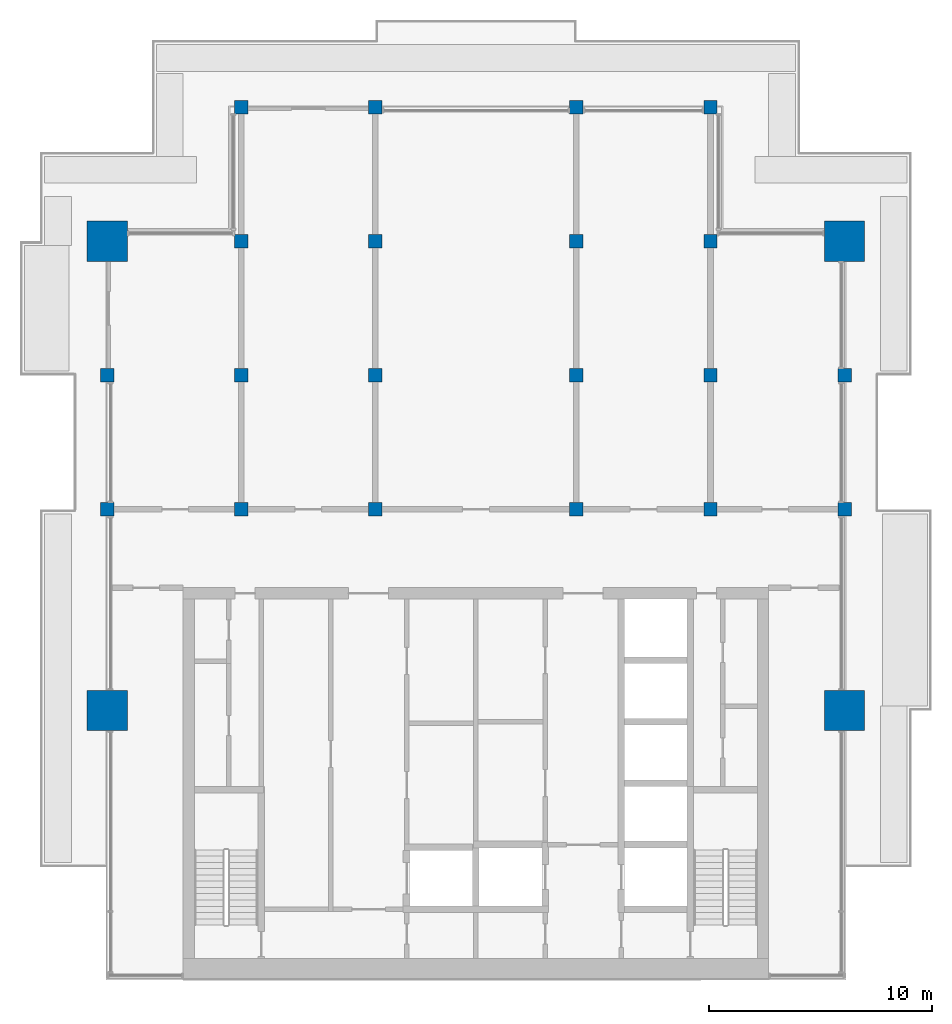
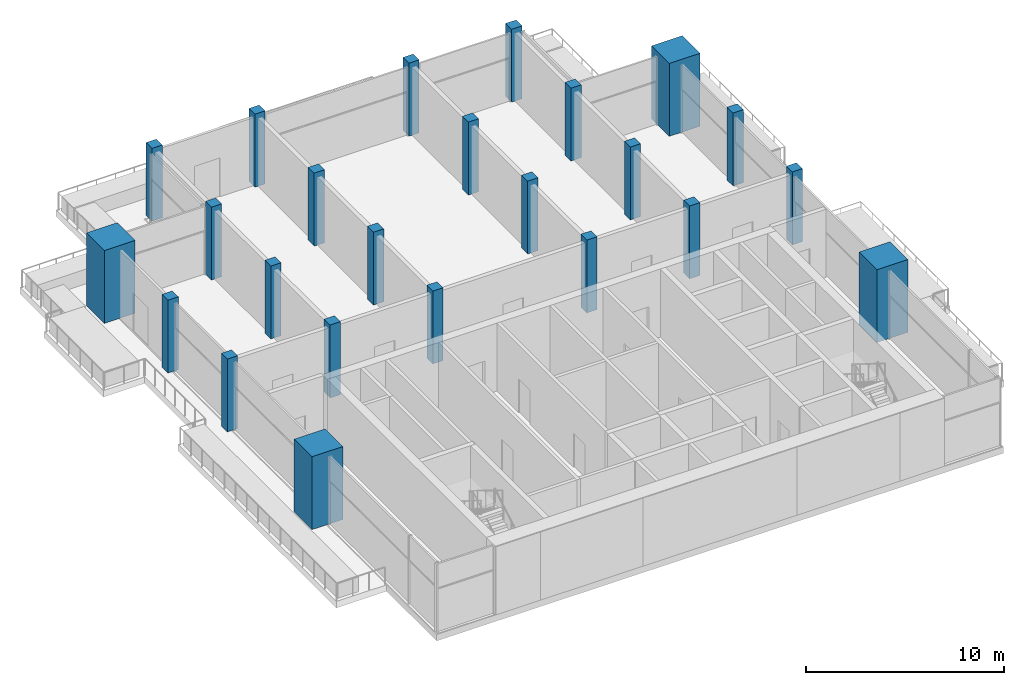
# One storey, part 1 of 9: 24 columns.
"""IFC4 building model written with IfcOpenShell, lengths in metres."""

from ifc_helpers import new_model, si_unit, direction, frame, origin, origin_2d, place, context, subcontext, project, spatial, rectangle, extrude, material, material_profile, profile_set, type_object, element, save


model = new_model("IFC4")

# Units and contexts
model_context = context("Model", 3, precision=1e-05, world=origin(), true_north=direction((0.0, 1.0)))
body_context = subcontext(model_context, "Body", "Model", "MODEL_VIEW")
ifc_project = project(units=[si_unit("LENGTHUNIT", "METRE"), si_unit("AREAUNIT", "SQUARE_METRE"), si_unit("VOLUMEUNIT", "CUBIC_METRE"), si_unit("PLANEANGLEUNIT", "RADIAN"), si_unit("MASSUNIT", "GRAM", prefix="KILO")], contexts=[model_context])

# Site, building, storey
site_placement = place(None, origin())
site = spatial("IfcSite", under=ifc_project, at=site_placement, CompositionType="ELEMENT")
building_placement = place(site_placement, origin())
building = spatial("IfcBuilding", under=site, at=building_placement, Name="Finial Court Residences", CompositionType="ELEMENT")
storey_placement = place(building_placement, frame((0.0, 0.0, 298.699951171875)))
storey = spatial("IfcBuildingStorey", under=building, at=storey_placement, Name="L76", CompositionType="ELEMENT", Elevation=298.699951171875)

# Columns
ifc_material = material(Name="Concrete C40/50", Category="concrete")
ifc_material_profile_1 = material_profile(ifc_material, rectangle(XDim=0.60009765625, YDim=0.60009765625, at=origin_2d()), Name="600x600")
ifc_profile_set_1 = profile_set([ifc_material_profile_1], Name="Concrete C40/50")
column_type_1 = type_object("IfcColumnType", Name="Interior column 600x600 Concrete C40/50", PredefinedType="COLUMN", material=ifc_profile_set_1)
for number, where, z_axis, x_axis, name in (
    (1, (-10.5, -4.5, 0.0), (0.0, 0.0, 1.0), (1.0, 0.0, 0.0), "S:COL:L76:D4"),
    (2, (-10.5, 1.5, 0.0), (0.0, 0.0, 1.0), (1.0, 0.0, 0.0), "S:COL:L76:D5"),
    (3, (-4.5, -4.5, 0.0), (0.0, 0.0, 1.0), (1.0, 0.0, 0.0), "S:COL:L76:E4"),
    (4, (-4.5, 1.5, 0.0), (0.0, 0.0, 1.0), (1.0, 0.0, 0.0), "S:COL:L76:E5"),
    (5, (-4.5, 7.5, 0.0), (0.0, 0.0, 1.0), (1.0, 0.0, 0.0), "S:COL:L76:E6"),
    (6, (4.5, -4.5, 0.0), (0.0, 0.0, 1.0), (1.0, 0.0, 0.0), "S:COL:L76:F4"),
    (7, (4.5, 1.5, 0.0), (0.0, 0.0, 1.0), (1.0, 0.0, 0.0), "S:COL:L76:F5"),
    (8, (4.5, 7.5, 0.0), (0.0, 0.0, 1.0), (1.0, 0.0, 0.0), "S:COL:L76:F6"),
    (9, (10.5, -4.5, 0.0), (0.0, 0.0, 1.0), (1.0, 0.0, 0.0), "S:COL:L76:G4"),
    (10, (10.5, 1.5, 0.0), (0.0, 0.0, 1.0), (1.0, 0.0, 0.0), "S:COL:L76:G5"),
):
    element("IfcColumn", number, at=place(storey_placement, frame(where, z_axis=z_axis, x_axis=x_axis)), inside=storey, type_object=column_type_1, Name=name, PredefinedType="COLUMN", context=body_context, shape_type="SweptSolid", body=[
        extrude(rectangle(XDim=0.60009765625, YDim=0.60009765625, at=origin_2d()), origin(), (0.0, 0.0, 1.0), 4.5),
    ])
ifc_material_profile_2 = material_profile(ifc_material, rectangle(XDim=1.800048828125, YDim=1.800048828125, at=origin_2d()), Name="1800x1800")
ifc_profile_set_2 = profile_set([ifc_material_profile_2], Name="Concrete C40/50")
column_type_2 = type_object("IfcColumnType", Name="Mega column 1800x1800 Concrete C40/50", PredefinedType="COLUMN", material=ifc_profile_set_2)
for number, where, z_axis, x_axis, name in (
    (11, (-16.5, -13.5, 0.0), (0.0, 0.0, 1.0), (1.0, 0.0, 0.0), "S:COL:L76:C3"),
    (12, (-16.5, 7.5, 0.0), (0.0, 0.0, 1.0), (1.0, 0.0, 0.0), "S:COL:L76:C6"),
    (13, (16.5, -13.5, 0.0), (0.0, 0.0, 1.0), (1.0, 0.0, 0.0), "S:COL:L76:H3"),
    (14, (16.5, 7.5, 0.0), (0.0, 0.0, 1.0), (1.0, 0.0, 0.0), "S:COL:L76:H6"),
):
    element("IfcColumn", number, at=place(storey_placement, frame(where, z_axis=z_axis, x_axis=x_axis)), inside=storey, type_object=column_type_2, Name=name, PredefinedType="COLUMN", context=body_context, shape_type="SweptSolid", body=[
        extrude(rectangle(XDim=1.800048828125, YDim=1.800048828125, at=origin_2d()), origin(), (0.0, 0.0, 1.0), 4.5),
    ])
ifc_material_profile_3 = material_profile(ifc_material, rectangle(XDim=0.60009765625, YDim=0.60009765625, at=origin_2d()), Name="600x600")
ifc_profile_set_3 = profile_set([ifc_material_profile_3], Name="Concrete C40/50")
column_type_3 = type_object("IfcColumnType", Name="Perimeter column 600x600 Concrete C40/50", PredefinedType="COLUMN", material=ifc_profile_set_3)
for number, where, z_axis, x_axis, name in (
    (15, (-16.5, -4.5, 0.0), (0.0, 0.0, 1.0), (1.0, 0.0, 0.0), "S:COL:L76:C4"),
    (16, (-16.5, 1.5, 0.0), (0.0, 0.0, 1.0), (1.0, 0.0, 0.0), "S:COL:L76:C5"),
    (17, (-10.5, 7.5, 0.0), (0.0, 0.0, 1.0), (1.0, 0.0, 0.0), "S:COL:L76:D6"),
    (18, (-10.5, 13.5, 0.0), (0.0, 0.0, 1.0), (1.0, 0.0, 0.0), "S:COL:L76:D7"),
    (19, (-4.5, 13.5, 0.0), (0.0, 0.0, 1.0), (1.0, 0.0, 0.0), "S:COL:L76:E7"),
    (20, (4.5, 13.5, 0.0), (0.0, 0.0, 1.0), (1.0, 0.0, 0.0), "S:COL:L76:F7"),
    (21, (10.5, 7.5, 0.0), (0.0, 0.0, 1.0), (1.0, 0.0, 0.0), "S:COL:L76:G6"),
    (22, (10.5, 13.5, 0.0), (0.0, 0.0, 1.0), (1.0, 0.0, 0.0), "S:COL:L76:G7"),
    (23, (16.5, -4.5, 0.0), (0.0, 0.0, 1.0), (1.0, 0.0, 0.0), "S:COL:L76:H4"),
    (24, (16.5, 1.5, 0.0), (0.0, 0.0, 1.0), (1.0, 0.0, 0.0), "S:COL:L76:H5"),
):
    element("IfcColumn", number, at=place(storey_placement, frame(where, z_axis=z_axis, x_axis=x_axis)), inside=storey, type_object=column_type_3, Name=name, PredefinedType="COLUMN", context=body_context, shape_type="SweptSolid", body=[
        extrude(rectangle(XDim=0.60009765625, YDim=0.60009765625, at=origin_2d()), origin(), (0.0, 0.0, 1.0), 4.5),
    ])

save(model, "model.ifc")
